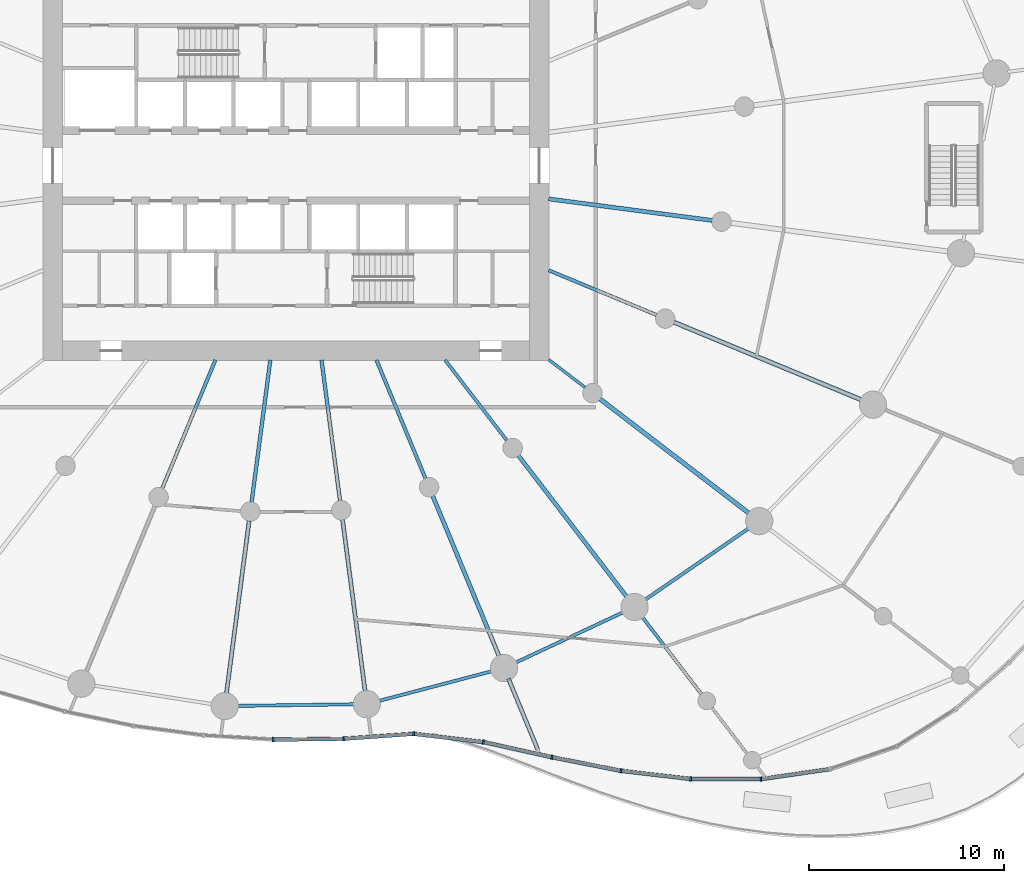
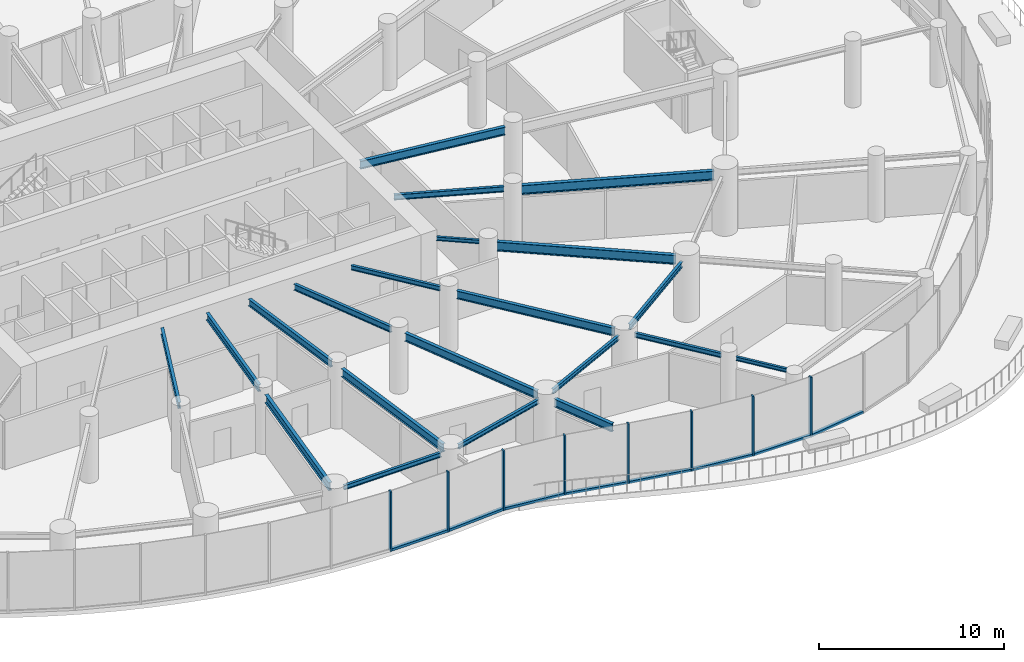
# One storey, part 3 of 21: 21 beams, 16 members, 2 elements without a shape of their own.
"""IFC4 building model written with IfcOpenShell, lengths in metres."""

from ifc_helpers import new_model, si_unit, direction, frame, origin, origin_2d, place, context, subcontext, project, spatial, rectangle, i_section, extrude, source, transform, mapped, material, layer, layer_set, material_profile, profile_set, type_object, element, aggregate, save


model = new_model("IFC4")

# Units and contexts
model_context = context("Model", 3, precision=1e-05, world=origin(), true_north=direction((0.0, 1.0)))
body_context = subcontext(model_context, "Body", "Model", "MODEL_VIEW")
ifc_project = project(units=[si_unit("LENGTHUNIT", "METRE"), si_unit("AREAUNIT", "SQUARE_METRE"), si_unit("VOLUMEUNIT", "CUBIC_METRE"), si_unit("PLANEANGLEUNIT", "RADIAN"), si_unit("MASSUNIT", "GRAM", prefix="KILO")], contexts=[model_context])

# Site, building, storey
site_placement = place(None, origin())
site = spatial("IfcSite", under=ifc_project, at=site_placement, CompositionType="ELEMENT")
building_placement = place(site_placement, origin())
building = spatial("IfcBuilding", under=site, at=building_placement, Name="Spindrift Exchange Tower", CompositionType="ELEMENT")
storey_placement = place(building_placement, frame((0.0, 0.0, 9.39990234375)))
storey = spatial("IfcBuildingStorey", under=building, at=storey_placement, Name="L02", CompositionType="ELEMENT", Elevation=9.39990234375)

# Beams
ifc_material_1 = material(Name="Steel Grade 300", Category="steel")
ifc_material_profile_1 = material_profile(ifc_material_1, i_section(OverallWidth=0.177978515625, OverallDepth=0.406005859375, WebThickness=0.0078125, FlangeThickness=0.0126953125, FilletRadius=0.013916015625, at=origin_2d()), Name="410UB59.7")
ifc_profile_set_1 = profile_set([ifc_material_profile_1], Name="Steel Grade 300")
beam_type_1 = type_object("IfcBeamType", Name="Floor Beam 410UB59.7 Steel Grade 300", PredefinedType="BEAM", material=ifc_profile_set_1)
shared_shape_1 = source(origin(), body_context, "Body", "SweptSolid", [
    extrude(i_section(OverallWidth=0.177978515625, OverallDepth=0.406005859375, WebThickness=0.0078125, FlangeThickness=0.0126953125, FilletRadius=0.013916015625, at=origin_2d()), origin(), (0.0, 0.0, 1.0), 7.150634765625),
])
beam_1_placement = place(storey_placement, frame((47.865478515625, 38.0185546875, 3.7470703125), z_axis=(-0.382665393358, -0.923887004306, 0.0), x_axis=(0.923887004306, -0.382665393358, 0.0)))
element("IfcBeam", 1, at=beam_1_placement, inside=storey, type_object=beam_type_1, Name="L02 radial beam R17A", PredefinedType="BEAM", context=body_context, shape_type="MappedRepresentation", body=[
    mapped(shared_shape_1, transform((0.0, 0.0, 0.0), scale=1.0)),
])
ifc_material_profile_2 = material_profile(ifc_material_1, i_section(OverallWidth=0.18994140625, OverallDepth=0.45703125, WebThickness=0.009033203125, FlangeThickness=0.014404296875, FilletRadius=0.013916015625, at=origin_2d()), Name="460UB74.6")
ifc_profile_set_2 = profile_set([ifc_material_profile_2], Name="Steel Grade 300")
beam_type_2 = type_object("IfcBeamType", Name="Floor Beam 460UB74.6 Steel Grade 300", PredefinedType="BEAM", material=ifc_profile_set_2)
shared_shape_2 = source(origin(), body_context, "Body", "SweptSolid", [
    extrude(i_section(OverallWidth=0.18994140625, OverallDepth=0.45703125, WebThickness=0.009033203125, FlangeThickness=0.014404296875, FilletRadius=0.013916015625, at=origin_2d()), origin(), (0.0, 0.0, 1.0), 7.374267578125),
])
beam_2_placement = place(storey_placement, frame((50.68603515625, 38.019775390625, 3.7216796875), z_axis=(-0.130539295622, -0.99144313619, 0.0), x_axis=(0.99144313619, -0.130539295622, 0.0)))
element("IfcBeam", 2, at=beam_2_placement, inside=storey, type_object=beam_type_2, Name="L02 radial beam R18A", PredefinedType="BEAM", context=body_context, shape_type="MappedRepresentation", body=[
    mapped(shared_shape_2, transform((0.0, 0.0, 0.0), scale=1.0)),
])
ifc_material_profile_3 = material_profile(ifc_material_1, i_section(OverallWidth=0.208984375, OverallDepth=0.532958984375, WebThickness=0.01025390625, FlangeThickness=0.015625, FilletRadius=0.013916015625, at=origin_2d()), Name="530UB92.4")
ifc_profile_set_3 = profile_set([ifc_material_profile_3], Name="Steel Grade 300")
beam_type_3 = type_object("IfcBeamType", Name="Floor Beam 530UB92.4 Steel Grade 300", PredefinedType="BEAM", material=ifc_profile_set_3)
shared_shape_3 = source(origin(), body_context, "Body", "SweptSolid", [
    extrude(i_section(OverallWidth=0.208984375, OverallDepth=0.532958984375, WebThickness=0.01025390625, FlangeThickness=0.015625, FilletRadius=0.013916015625, at=origin_2d()), origin(), (0.0, 0.0, 1.0), 9.020263671875),
])
beam_3_placement = place(storey_placement, frame((49.59814453125, 29.7568359375, 3.68359375), z_axis=(-0.13051122338, -0.991446831944, 0.0), x_axis=(0.991446831944, -0.13051122338, 0.0)))
element("IfcBeam", 3, at=beam_3_placement, inside=storey, type_object=beam_type_3, Name="L02 radial beam R18B", PredefinedType="BEAM", context=body_context, shape_type="MappedRepresentation", body=[
    mapped(shared_shape_3, transform((0.0, 0.0, 0.0), scale=1.0)),
])
shared_shape_4 = source(origin(), body_context, "Body", "SweptSolid", [
    extrude(i_section(OverallWidth=0.18994140625, OverallDepth=0.45703125, WebThickness=0.009033203125, FlangeThickness=0.014404296875, FilletRadius=0.013916015625, at=origin_2d()), origin(), (0.0, 0.0, 1.0), 7.3095703125),
])
beam_4_placement = place(storey_placement, frame((53.31396484375, 38.019775390625, 3.7216796875), z_axis=(0.130527087244, -0.991444743541, 0.0), x_axis=(0.991444743541, 0.130527087244, 0.0)))
element("IfcBeam", 4, at=beam_4_placement, inside=storey, type_object=beam_type_2, Name="L02 radial beam R19A", PredefinedType="BEAM", context=body_context, shape_type="MappedRepresentation", body=[
    mapped(shared_shape_4, transform((0.0, 0.0, 0.0), scale=1.0)),
])
shared_shape_5 = source(origin(), body_context, "Body", "SweptSolid", [
    extrude(i_section(OverallWidth=0.208984375, OverallDepth=0.532958984375, WebThickness=0.01025390625, FlangeThickness=0.015625, FilletRadius=0.013916015625, at=origin_2d()), origin(), (0.0, 0.0, 1.0), 8.98388671875),
])
beam_5_placement = place(storey_placement, frame((54.393310546875, 29.82080078125, 3.68359375), z_axis=(0.130524106785, -0.991445135924, 0.0), x_axis=(0.991445135924, 0.130524106785, 0.0)))
element("IfcBeam", 5, at=beam_5_placement, inside=storey, type_object=beam_type_3, Name="L02 radial beam R19B", PredefinedType="BEAM", context=body_context, shape_type="MappedRepresentation", body=[
    mapped(shared_shape_5, transform((0.0, 0.0, 0.0), scale=1.0)),
])
shared_shape_6 = source(origin(), body_context, "Body", "SweptSolid", [
    extrude(i_section(OverallWidth=0.177978515625, OverallDepth=0.406005859375, WebThickness=0.0078125, FlangeThickness=0.0126953125, FilletRadius=0.013916015625, at=origin_2d()), origin(), (0.0, 0.0, 1.0), 6.594482421875),
])
beam_6_placement = place(storey_placement, frame((56.134521484375, 38.0185546875, 3.7470703125), z_axis=(0.382692929746, -0.92387559851, 0.0), x_axis=(0.92387559851, 0.382692929746, 0.0)))
element("IfcBeam", 6, at=beam_6_placement, inside=storey, type_object=beam_type_1, Name="L02 radial beam R20A", PredefinedType="BEAM", context=body_context, shape_type="MappedRepresentation", body=[
    mapped(shared_shape_6, transform((0.0, 0.0, 0.0), scale=1.0)),
])
shared_shape_7 = source(origin(), body_context, "Body", "SweptSolid", [
    extrude(i_section(OverallWidth=0.208984375, OverallDepth=0.532958984375, WebThickness=0.01025390625, FlangeThickness=0.015625, FilletRadius=0.013916015625, at=origin_2d()), origin(), (0.0, 0.0, 1.0), 8.99658203125),
])
beam_7_placement = place(storey_placement, frame((59.025390625, 31.0390625, 3.68359375), z_axis=(0.382685731718, -0.923878580085, 0.0), x_axis=(0.923878580085, 0.382685731718, 0.0)))
element("IfcBeam", 7, at=beam_7_placement, inside=storey, type_object=beam_type_3, Name="L02 radial beam R20B", PredefinedType="BEAM", context=body_context, shape_type="MappedRepresentation", body=[
    mapped(shared_shape_7, transform((0.0, 0.0, 0.0), scale=1.0)),
])
ifc_material_profile_4 = material_profile(ifc_material_1, i_section(OverallWidth=0.1650390625, OverallDepth=0.303955078125, WebThickness=0.006103515625, FlangeThickness=0.01025390625, FilletRadius=0.011474609375, at=origin_2d()), Name="310UB40.4")
ifc_profile_set_4 = profile_set([ifc_material_profile_4], Name="Steel Grade 300")
beam_type_4 = type_object("IfcBeamType", Name="Floor Beam 310UB40.4 Steel Grade 300", PredefinedType="BEAM", material=ifc_profile_set_4)
shared_shape_8 = source(origin(), body_context, "Body", "SweptSolid", [
    extrude(i_section(OverallWidth=0.1650390625, OverallDepth=0.303955078125, WebThickness=0.006103515625, FlangeThickness=0.01025390625, FilletRadius=0.011474609375, at=origin_2d()), origin(), (0.0, 0.0, 1.0), 5.224609375),
])
beam_8_placement = place(storey_placement, frame((59.6611328125, 38.015869140625, 3.798095703125), z_axis=(0.608741499316, -0.793368632485, 0.0), x_axis=(0.793368632485, 0.608741499316, 0.0)))
element("IfcBeam", 8, at=beam_8_placement, inside=storey, type_object=beam_type_4, Name="L02 radial beam R21A", PredefinedType="BEAM", context=body_context, shape_type="MappedRepresentation", body=[
    mapped(shared_shape_8, transform((0.0, 0.0, 0.0), scale=1.0)),
])
shared_shape_9 = source(origin(), body_context, "Body", "SweptSolid", [
    extrude(i_section(OverallWidth=0.208984375, OverallDepth=0.532958984375, WebThickness=0.01025390625, FlangeThickness=0.015625, FilletRadius=0.013916015625, at=origin_2d()), origin(), (0.0, 0.0, 1.0), 9.227783203125),
])
beam_9_placement = place(storey_placement, frame((63.426025390625, 33.109375, 3.68359375), z_axis=(0.608747534474, -0.79336400175, 0.0), x_axis=(0.79336400175, 0.608747534474, 0.0)))
element("IfcBeam", 9, at=beam_9_placement, inside=storey, type_object=beam_type_3, Name="L02 radial beam R21B", PredefinedType="BEAM", context=body_context, shape_type="MappedRepresentation", body=[
    mapped(shared_shape_9, transform((0.0, 0.0, 0.0), scale=1.0)),
])
ifc_material_profile_5 = material_profile(ifc_material_1, i_section(OverallWidth=0.14599609375, OverallDepth=0.251953125, WebThickness=0.006103515625, FlangeThickness=0.008544921875, FilletRadius=0.011962890625, at=origin_2d()), Name="250UB31.4")
ifc_profile_set_5 = profile_set([ifc_material_profile_5], Name="Steel Grade 300")
beam_type_5 = type_object("IfcBeamType", Name="Floor Beam 250UB31.4 Steel Grade 300", PredefinedType="BEAM", material=ifc_profile_set_5)
shared_shape_10 = source(origin(), body_context, "Body", "SweptSolid", [
    extrude(i_section(OverallWidth=0.14599609375, OverallDepth=0.251953125, WebThickness=0.006103515625, FlangeThickness=0.008544921875, FilletRadius=0.011962890625, at=origin_2d()), origin(), (0.0, 0.0, 1.0), 2.353759765625),
])
beam_10_placement = place(storey_placement, frame((64.984130859375, 38.036865234375, 3.82421875), z_axis=(0.793367573265, -0.608742879787, 0.0), x_axis=(0.608742879787, 0.793367573265, 0.0)))
element("IfcBeam", 10, at=beam_10_placement, inside=storey, type_object=beam_type_5, Name="L02 radial beam R22A", PredefinedType="BEAM", context=body_context, shape_type="MappedRepresentation", body=[
    mapped(shared_shape_10, transform((0.0, 0.0, 0.0), scale=1.0)),
])
ifc_material_profile_6 = material_profile(ifc_material_1, i_section(OverallWidth=0.22802734375, OverallDepth=0.60693359375, WebThickness=0.01123046875, FlangeThickness=0.017333984375, FilletRadius=0.013916015625, at=origin_2d()), Name="610UB113")
ifc_profile_set_6 = profile_set([ifc_material_profile_6], Name="Steel Grade 300")
beam_type_6 = type_object("IfcBeamType", Name="Floor Beam 610UB113 Steel Grade 300", PredefinedType="BEAM", material=ifc_profile_set_6)
shared_shape_11 = source(origin(), body_context, "Body", "SweptSolid", [
    extrude(i_section(OverallWidth=0.22802734375, OverallDepth=0.60693359375, WebThickness=0.01123046875, FlangeThickness=0.017333984375, FilletRadius=0.013916015625, at=origin_2d()), origin(), (0.0, 0.0, 1.0), 9.73974609375),
])
beam_11_placement = place(storey_placement, frame((67.61328125, 36.01953125, 3.646484375), z_axis=(0.793352119621, -0.608763019814, 0.0), x_axis=(0.608763019814, 0.793352119621, 0.0)))
element("IfcBeam", 11, at=beam_11_placement, inside=storey, type_object=beam_type_6, Name="L02 radial beam R22B", PredefinedType="BEAM", context=body_context, shape_type="MappedRepresentation", body=[
    mapped(shared_shape_11, transform((0.0, 0.0, 0.0), scale=1.0)),
])
ifc_material_profile_7 = material_profile(ifc_material_1, i_section(OverallWidth=0.172119140625, OverallDepth=0.35888671875, WebThickness=0.008056640625, FlangeThickness=0.012939453125, FilletRadius=0.013916015625, at=origin_2d()), Name="360UB56.7")
ifc_profile_set_7 = profile_set([ifc_material_profile_7], Name="Steel Grade 300")
beam_type_7 = type_object("IfcBeamType", Name="Floor Beam 360UB56.7 Steel Grade 300", PredefinedType="BEAM", material=ifc_profile_set_7)
shared_shape_12 = source(origin(), body_context, "Body", "SweptSolid", [
    extrude(i_section(OverallWidth=0.172119140625, OverallDepth=0.35888671875, WebThickness=0.008056640625, FlangeThickness=0.012939453125, FilletRadius=0.013916015625, at=origin_2d()), origin(), (0.0, 0.0, 1.0), 6.004638671875),
])
beam_12_placement = place(storey_placement, frame((64.9814453125, 42.622802734375, 3.7705078125), z_axis=(0.923882044911, -0.38267736684, 0.0), x_axis=(0.38267736684, 0.923882044911, 0.0)))
element("IfcBeam", 12, at=beam_12_placement, inside=storey, type_object=beam_type_7, Name="L02 radial beam R23A", PredefinedType="BEAM", context=body_context, shape_type="MappedRepresentation", body=[
    mapped(shared_shape_12, transform((0.0, 0.0, 0.0), scale=1.0)),
])
shared_shape_13 = source(origin(), body_context, "Body", "SweptSolid", [
    extrude(i_section(OverallWidth=0.22802734375, OverallDepth=0.60693359375, WebThickness=0.01123046875, FlangeThickness=0.017333984375, FilletRadius=0.013916015625, at=origin_2d()), origin(), (0.0, 0.0, 1.0), 10.4912109375),
])
beam_13_placement = place(storey_placement, frame((71.416015625, 39.95751953125, 3.646484375), z_axis=(0.923885231151, -0.382669674342, 0.0), x_axis=(0.382669674342, 0.923885231151, 0.0)))
element("IfcBeam", 13, at=beam_13_placement, inside=storey, type_object=beam_type_6, Name="L02 radial beam R23B", PredefinedType="BEAM", context=body_context, shape_type="MappedRepresentation", body=[
    mapped(shared_shape_13, transform((0.0, 0.0, 0.0), scale=1.0)),
])
shared_shape_14 = source(origin(), body_context, "Body", "SweptSolid", [
    extrude(i_section(OverallWidth=0.208984375, OverallDepth=0.532958984375, WebThickness=0.01025390625, FlangeThickness=0.015625, FilletRadius=0.013916015625, at=origin_2d()), origin(), (0.0, 0.0, 1.0), 8.4794921875),
])
beam_14_placement = place(storey_placement, frame((64.980224609375, 46.291015625, 3.68359375), z_axis=(0.991446551951, -0.13051335037, 0.0), x_axis=(0.13051335037, 0.991446551951, 0.0)))
element("IfcBeam", 14, at=beam_14_placement, inside=storey, type_object=beam_type_3, Name="L02 radial beam R24A", PredefinedType="BEAM", context=body_context, shape_type="MappedRepresentation", body=[
    mapped(shared_shape_14, transform((0.0, 0.0, 0.0), scale=1.0)),
])
shared_shape_15 = source(origin(), body_context, "Body", "SweptSolid", [
    extrude(i_section(OverallWidth=0.1650390625, OverallDepth=0.303955078125, WebThickness=0.006103515625, FlangeThickness=0.01025390625, FilletRadius=0.011474609375, at=origin_2d()), origin(), (0.0, 0.0, 1.0), 5.072509765625),
])
beam_15_placement = place(storey_placement, frame((69.749755859375, 24.8681640625, 3.798095703125), z_axis=(0.608742705523, -0.793367706976, 0.0), x_axis=(0.793367706976, 0.608742705523, 0.0)))
element("IfcBeam", 15, at=beam_15_placement, inside=storey, type_object=beam_type_4, Name="L02 radial beam R21C1", PredefinedType="BEAM", context=body_context, shape_type="MappedRepresentation", body=[
    mapped(shared_shape_15, transform((0.0, 0.0, 0.0), scale=1.0)),
])
shared_shape_16 = source(origin(), body_context, "Body", "SweptSolid", [
    extrude(i_section(OverallWidth=0.14599609375, OverallDepth=0.251953125, WebThickness=0.006103515625, FlangeThickness=0.008544921875, FilletRadius=0.011962890625, at=origin_2d()), origin(), (0.0, 0.0, 1.0), 2.978759765625),
])
beam_16_placement = place(storey_placement, frame((73.361328125, 20.16162109375, 3.82421875), z_axis=(0.608724015184, -0.793382047527, 0.0), x_axis=(0.793382047527, 0.608724015184, 0.0)))
element("IfcBeam", 16, at=beam_16_placement, inside=storey, type_object=beam_type_5, Name="L02 radial beam R21C2", PredefinedType="BEAM", context=body_context, shape_type="MappedRepresentation", body=[
    mapped(shared_shape_16, transform((0.0, 0.0, 0.0), scale=1.0)),
])
ifc_material_profile_8 = material_profile(ifc_material_1, i_section(OverallWidth=0.1650390625, OverallDepth=0.303955078125, WebThickness=0.006103515625, FlangeThickness=0.01025390625, FilletRadius=0.011474609375, at=origin_2d()), Name="310UB40.4")
ifc_profile_set_8 = profile_set([ifc_material_profile_8], Name="Steel Grade 300")
beam_type_8 = type_object("IfcBeamType", Name="Edge Beam 310UB40.4 Steel Grade 300", PredefinedType="SPANDREL", material=ifc_profile_set_8)
shared_shape_17 = source(origin(), body_context, "Body", "SweptSolid", [
    extrude(i_section(OverallWidth=0.1650390625, OverallDepth=0.303955078125, WebThickness=0.006103515625, FlangeThickness=0.01025390625, FilletRadius=0.011474609375, at=origin_2d()), origin(), (0.0, 0.0, 1.0), 6.13720703125),
])
beam_17_placement = place(storey_placement, frame((48.925048828125, 20.24658203125, 3.798095703125), z_axis=(0.999905820907, 0.013724041543, 0.0), x_axis=(-0.013724041543, 0.999905820907, 0.0)))
element("IfcBeam", 17, at=beam_17_placement, inside=storey, type_object=beam_type_8, Name="L02 edge beam E18", PredefinedType="SPANDREL", context=body_context, shape_type="MappedRepresentation", body=[
    mapped(shared_shape_17, transform((0.0, 0.0, 0.0), scale=1.0)),
])
shared_shape_18 = source(origin(), body_context, "Body", "SweptSolid", [
    extrude(i_section(OverallWidth=0.1650390625, OverallDepth=0.303955078125, WebThickness=0.006103515625, FlangeThickness=0.01025390625, FilletRadius=0.011474609375, at=origin_2d()), origin(), (0.0, 0.0, 1.0), 6.128173828125),
])
beam_18_placement = place(storey_placement, frame((56.20263671875, 20.486083984375, 3.798095703125), z_axis=(0.967147261855, 0.254216785216, 0.0), x_axis=(-0.254216785216, 0.967147261855, 0.0)))
element("IfcBeam", 18, at=beam_18_placement, inside=storey, type_object=beam_type_8, Name="L02 edge beam E19", PredefinedType="SPANDREL", context=body_context, shape_type="MappedRepresentation", body=[
    mapped(shared_shape_18, transform((0.0, 0.0, 0.0), scale=1.0)),
])
shared_shape_19 = source(origin(), body_context, "Body", "SweptSolid", [
    extrude(i_section(OverallWidth=0.1650390625, OverallDepth=0.303955078125, WebThickness=0.006103515625, FlangeThickness=0.01025390625, FilletRadius=0.011474609375, at=origin_2d()), origin(), (0.0, 0.0, 1.0), 6.243408203125),
])
beam_19_placement = place(storey_placement, frame((63.2158203125, 22.43701171875, 3.798095703125), z_axis=(0.905791146607, 0.423724437257, 0.0), x_axis=(-0.423724437257, 0.905791146607, 0.0)))
element("IfcBeam", 19, at=beam_19_placement, inside=storey, type_object=beam_type_8, Name="L02 edge beam E20", PredefinedType="SPANDREL", context=body_context, shape_type="MappedRepresentation", body=[
    mapped(shared_shape_19, transform((0.0, 0.0, 0.0), scale=1.0)),
])
ifc_material_profile_9 = material_profile(ifc_material_1, i_section(OverallWidth=0.172119140625, OverallDepth=0.35888671875, WebThickness=0.008056640625, FlangeThickness=0.012939453125, FilletRadius=0.013916015625, at=origin_2d()), Name="360UB56.7")
ifc_profile_set_9 = profile_set([ifc_material_profile_9], Name="Steel Grade 300")
beam_type_9 = type_object("IfcBeamType", Name="Edge Beam 360UB56.7 Steel Grade 300", PredefinedType="SPANDREL", material=ifc_profile_set_9)
shared_shape_20 = source(origin(), body_context, "Body", "SweptSolid", [
    extrude(i_section(OverallWidth=0.172119140625, OverallDepth=0.35888671875, WebThickness=0.008056640625, FlangeThickness=0.012939453125, FilletRadius=0.013916015625, at=origin_2d()), origin(), (0.0, 0.0, 1.0), 6.614990234375),
])
beam_20_placement = place(storey_placement, frame((69.874267578125, 25.6572265625, 3.7705078125), z_axis=(0.823690708835, 0.567039342708, 0.0), x_axis=(-0.567039342708, 0.823690708835, 0.0)))
element("IfcBeam", 20, at=beam_20_placement, inside=storey, type_object=beam_type_9, Name="L02 edge beam E21", PredefinedType="SPANDREL", context=body_context, shape_type="MappedRepresentation", body=[
    mapped(shared_shape_20, transform((0.0, 0.0, 0.0), scale=1.0)),
])
ifc_material_profile_10 = material_profile(ifc_material_1, i_section(OverallWidth=0.208984375, OverallDepth=0.532958984375, WebThickness=0.01025390625, FlangeThickness=0.015625, FilletRadius=0.013916015625, at=origin_2d()), Name="530UB92.4")
ifc_profile_set_10 = profile_set([ifc_material_profile_10], Name="Steel Grade 300")
beam_type_10 = type_object("IfcBeamType", Name="Cantilever Beam 530UB92.4 Steel Grade 300", PredefinedType="BEAM", material=ifc_profile_set_10)
shared_shape_21 = source(origin(), body_context, "Body", "SweptSolid", [
    extrude(i_section(OverallWidth=0.208984375, OverallDepth=0.532958984375, WebThickness=0.01025390625, FlangeThickness=0.015625, FilletRadius=0.013916015625, at=origin_2d()), origin(), (0.0, 0.0, 1.0), 3.9501953125),
])
beam_21_placement = place(storey_placement, frame((62.912109375, 21.655517578125, 3.68359375), z_axis=(0.382701140379, -0.923872197413, 0.0), x_axis=(0.923872197413, 0.382701140379, 0.0)))
element("IfcBeam", 21, at=beam_21_placement, inside=storey, type_object=beam_type_10, Name="L02 cantilever beam R20T", PredefinedType="BEAM", context=body_context, shape_type="MappedRepresentation", body=[
    mapped(shared_shape_21, transform((0.0, 0.0, 0.0), scale=1.0)),
])

# Curtain wall, members
ifc_material_2 = material(Name="Fritted laminated glass with bronze frame", Category="glass")
ifc_layer = layer(ifc_material_2, 0.219970703125)
ifc_layer_set = layer_set([ifc_layer], Name="PODIUM BRONZE GLAZED WALL")
curtain_wall_type = type_object("IfcCurtainWallType", Name="PODIUM BRONZE GLAZED WALL", PredefinedType="NOTDEFINED", material=ifc_layer_set)
curtain_wall_1_placement = place(storey_placement, origin())
curtain_wall_1 = element("IfcCurtainWall", 22, at=curtain_wall_1_placement, inside=storey, type_object=curtain_wall_type, Name="L02 Podium Bronze Glazed Wall run 9", PredefinedType="NOTDEFINED")
ifc_material_3 = material(Name="Bronze anodised aluminium", Category="aluminium")
ifc_material_profile_11 = material_profile(ifc_material_3, rectangle(XDim=0.090087890625, YDim=0.219970703125, at=origin_2d()), Name="PODIUM BRONZE GLAZED WALL MULLION 90X220")
ifc_profile_set_11 = profile_set([ifc_material_profile_11], Name="Bronze anodised aluminium")
member_type_1 = type_object("IfcMemberType", Name="PODIUM BRONZE GLAZED WALL MULLION 90X220", PredefinedType="MULLION", material=ifc_profile_set_11)
shared_shape_22 = source(origin(), body_context, "Body", "SweptSolid", [
    extrude(rectangle(XDim=0.090087890625, YDim=0.219970703125, at=origin_2d()), origin(), (0.0, 0.0, 1.0), 3.9501953125),
])
member_1_placement = place(storey_placement, frame((50.8388671875, 18.513916015625, 0.0), z_axis=(0.0, 0.0, 1.0), x_axis=(0.99972757023, -0.023340636714, 0.0)))
member_1 = element("IfcMember", 23, at=member_1_placement, type_object=member_type_1, Name="L02 mullion CW-P.49", PredefinedType="MULLION", context=body_context, shape_type="MappedRepresentation", body=[
    mapped(shared_shape_22, transform((0.0, 0.0, 0.0), scale=1.0)),
])
member_2_placement = place(storey_placement, frame((54.4482421875, 18.560791015625, 0.0), z_axis=(0.0, 0.0, 1.0), x_axis=(0.999141834944, 0.041419725542, 0.0)))
member_2 = element("IfcMember", 24, at=member_2_placement, type_object=member_type_1, Name="L02 mullion CW-P.50", PredefinedType="MULLION", context=body_context, shape_type="MappedRepresentation", body=[
    mapped(shared_shape_22, transform((0.0, 0.0, 0.0), scale=1.0)),
])
member_3_placement = place(storey_placement, frame((58.049072265625, 18.81298828125, 0.0), z_axis=(0.0, 0.0, 1.0), x_axis=(0.99971480894, -0.023880971202, 0.0)))
member_3 = element("IfcMember", 25, at=member_3_placement, type_object=member_type_1, Name="L02 mullion CW-P.51", PredefinedType="MULLION", context=body_context, shape_type="MappedRepresentation", body=[
    mapped(shared_shape_22, transform((0.0, 0.0, 0.0), scale=1.0)),
])
member_4_placement = place(storey_placement, frame((61.62841796875, 18.3896484375, 0.0), z_axis=(0.0, 0.0, 1.0), x_axis=(0.98597730279, -0.166879472623, 0.0)))
member_4 = element("IfcMember", 26, at=member_4_placement, type_object=member_type_1, Name="L02 mullion CW-P.52", PredefinedType="MULLION", context=body_context, shape_type="MappedRepresentation", body=[
    mapped(shared_shape_22, transform((0.0, 0.0, 0.0), scale=1.0)),
])
member_5_placement = place(storey_placement, frame((65.15380859375, 17.610107421875, 0.0), z_axis=(0.0, 0.0, 1.0), x_axis=(0.978832500454, -0.204662981645, 0.0)))
member_5 = element("IfcMember", 27, at=member_5_placement, type_object=member_type_1, Name="L02 mullion CW-P.53", PredefinedType="MULLION", context=body_context, shape_type="MappedRepresentation", body=[
    mapped(shared_shape_22, transform((0.0, 0.0, 0.0), scale=1.0)),
])
member_6_placement = place(storey_placement, frame((68.695556640625, 16.912109375, 0.0), z_axis=(0.0, 0.0, 1.0), x_axis=(0.987946014774, -0.154798811014, 0.0)))
member_6 = element("IfcMember", 28, at=member_6_placement, type_object=member_type_1, Name="L02 mullion CW-P.54", PredefinedType="MULLION", context=body_context, shape_type="MappedRepresentation", body=[
    mapped(shared_shape_22, transform((0.0, 0.0, 0.0), scale=1.0)),
])

curtain_wall_2_placement = place(storey_placement, origin())
curtain_wall_2 = element("IfcCurtainWall", 29, at=curtain_wall_2_placement, inside=storey, type_object=curtain_wall_type, Name="L02 Podium Bronze Glazed Wall run 10", PredefinedType="NOTDEFINED")
member_7_placement = place(storey_placement, frame((72.280517578125, 16.493408203125, 0.0), z_axis=(0.0, 0.0, 1.0), x_axis=(0.998234038251, -0.059403744632, 0.0)))
member_7 = element("IfcMember", 30, at=member_7_placement, type_object=member_type_1, Name="L02 mullion CW-P.55", PredefinedType="MULLION", context=body_context, shape_type="MappedRepresentation", body=[
    mapped(shared_shape_22, transform((0.0, 0.0, 0.0), scale=1.0)),
])
member_8_placement = place(storey_placement, frame((75.88818359375, 16.48388671875, 0.0), z_axis=(0.0, 0.0, 1.0), x_axis=(0.997483298836, 0.070901823275, 0.0)))
member_8 = element("IfcMember", 31, at=member_8_placement, type_object=member_type_1, Name="L02 mullion CW-P.56", PredefinedType="MULLION", context=body_context, shape_type="MappedRepresentation", body=[
    mapped(shared_shape_22, transform((0.0, 0.0, 0.0), scale=1.0)),
])

# Member
ifc_material_profile_12 = material_profile(ifc_material_3, rectangle(XDim=0.199951171875, YDim=0.159912109375, at=origin_2d()), Name="PODIUM BRONZE GLAZED WALL TRANSOM 200X160")
ifc_profile_set_12 = profile_set([ifc_material_profile_12], Name="Bronze anodised aluminium")
member_type_2 = type_object("IfcMemberType", Name="PODIUM BRONZE GLAZED WALL TRANSOM 200X160", PredefinedType="USERDEFINED", material=ifc_profile_set_12)
shared_shape_23 = source(origin(), body_context, "Body", "SweptSolid", [
    extrude(rectangle(XDim=0.199951171875, YDim=0.159912109375, at=origin_2d()), origin(), (0.0, 0.0, 1.0), 3.51904296875),
])
member_9_placement = place(storey_placement, frame((68.740234375, 16.90673828125, 0.080078125), z_axis=(0.993249690774, -0.115995912759, 0.0), x_axis=(0.115995912759, 0.993249690774, 0.0)))
member_9 = element("IfcMember", 32, at=member_9_placement, type_object=member_type_2, Name="L02 transom CW-P.54", ObjectType="TRANSOM", PredefinedType="USERDEFINED", context=body_context, shape_type="MappedRepresentation", body=[
    mapped(shared_shape_23, transform((0.0, 0.0, 0.0), scale=1.0)),
])

shared_shape_24 = source(origin(), body_context, "Body", "SweptSolid", [
    extrude(rectangle(XDim=0.199951171875, YDim=0.159912109375, at=origin_2d()), origin(), (0.0, 0.0, 1.0), 3.519775390625),
])
member_10_placement = place(storey_placement, frame((50.8837890625, 18.5146484375, 0.080078125), z_axis=(0.999916775321, 0.012901256951, 0.0), x_axis=(-0.012901256951, 0.999916775321, 0.0)))
member_10 = element("IfcMember", 33, at=member_10_placement, type_object=member_type_2, Name="L02 transom CW-P.49", ObjectType="TRANSOM", PredefinedType="USERDEFINED", context=body_context, shape_type="MappedRepresentation", body=[
    mapped(shared_shape_24, transform((0.0, 0.0, 0.0), scale=1.0)),
])

shared_shape_25 = source(origin(), body_context, "Body", "SweptSolid", [
    extrude(rectangle(XDim=0.199951171875, YDim=0.159912109375, at=origin_2d()), origin(), (0.0, 0.0, 1.0), 3.51611328125),
])
member_11_placement = place(storey_placement, frame((75.932861328125, 16.490478515625, 0.080078125), z_axis=(0.989576726579, 0.144006604752, 0.0), x_axis=(-0.144006604752, 0.989576726579, 0.0)))
member_11 = element("IfcMember", 34, at=member_11_placement, type_object=member_type_2, Name="L02 transom CW-P.56", ObjectType="TRANSOM", PredefinedType="USERDEFINED", context=body_context, shape_type="MappedRepresentation", body=[
    mapped(shared_shape_25, transform((0.0, 0.0, 0.0), scale=1.0)),
])

shared_shape_26 = source(origin(), body_context, "Body", "SweptSolid", [
    extrude(rectangle(XDim=0.199951171875, YDim=0.159912109375, at=origin_2d()), origin(), (0.0, 0.0, 1.0), 3.517822265625),
])
member_12_placement = place(storey_placement, frame((72.325439453125, 16.4931640625, 0.080078125), z_axis=(0.999996703116, -0.002567831079, 0.0), x_axis=(0.002567831079, 0.999996703116, 0.0)))
member_12 = element("IfcMember", 35, at=member_12_placement, type_object=member_type_2, Name="L02 transom CW-P.55", ObjectType="TRANSOM", PredefinedType="USERDEFINED", context=body_context, shape_type="MappedRepresentation", body=[
    mapped(shared_shape_26, transform((0.0, 0.0, 0.0), scale=1.0)),
])

aggregate(curtain_wall_2, [member_7, member_12, member_8, member_11])

shared_shape_27 = source(origin(), body_context, "Body", "SweptSolid", [
    extrude(rectangle(XDim=0.199951171875, YDim=0.159912109375, at=origin_2d()), origin(), (0.0, 0.0, 1.0), 3.52001953125),
])
member_13_placement = place(storey_placement, frame((65.19775390625, 17.601318359375, 0.080078125), z_axis=(0.981126348341, -0.193367754784, 0.0), x_axis=(0.193367754784, 0.981126348341, 0.0)))
member_13 = element("IfcMember", 36, at=member_13_placement, type_object=member_type_2, Name="L02 transom CW-P.53", ObjectType="TRANSOM", PredefinedType="USERDEFINED", context=body_context, shape_type="MappedRepresentation", body=[
    mapped(shared_shape_27, transform((0.0, 0.0, 0.0), scale=1.0)),
])

shared_shape_28 = source(origin(), body_context, "Body", "SweptSolid", [
    extrude(rectangle(XDim=0.199951171875, YDim=0.159912109375, at=origin_2d()), origin(), (0.0, 0.0, 1.0), 3.520751953125),
])
member_14_placement = place(storey_placement, frame((61.672119140625, 18.3798828125, 0.080078125), z_axis=(0.976423062685, -0.215865705144, 0.0), x_axis=(0.215865705144, 0.976423062685, 0.0)))
member_14 = element("IfcMember", 37, at=member_14_placement, type_object=member_type_2, Name="L02 transom CW-P.52", ObjectType="TRANSOM", PredefinedType="USERDEFINED", context=body_context, shape_type="MappedRepresentation", body=[
    mapped(shared_shape_28, transform((0.0, 0.0, 0.0), scale=1.0)),
])

shared_shape_29 = source(origin(), body_context, "Body", "SweptSolid", [
    extrude(rectangle(XDim=0.199951171875, YDim=0.159912109375, at=origin_2d()), origin(), (0.0, 0.0, 1.0), 3.51416015625),
])
member_15_placement = place(storey_placement, frame((58.09375, 18.8076171875, 0.080078125), z_axis=(0.99308309791, -0.117413630577, 0.0), x_axis=(0.117413630577, 0.99308309791, 0.0)))
member_15 = element("IfcMember", 38, at=member_15_placement, type_object=member_type_2, Name="L02 transom CW-P.51", ObjectType="TRANSOM", PredefinedType="USERDEFINED", context=body_context, shape_type="MappedRepresentation", body=[
    mapped(shared_shape_29, transform((0.0, 0.0, 0.0), scale=1.0)),
])

shared_shape_30 = source(origin(), body_context, "Body", "SweptSolid", [
    extrude(rectangle(XDim=0.199951171875, YDim=0.159912109375, at=origin_2d()), origin(), (0.0, 0.0, 1.0), 3.51953125),
])
member_16_placement = place(storey_placement, frame((54.4931640625, 18.56396484375, 0.080078125), z_axis=(0.997557372332, 0.069851906956, 0.0), x_axis=(-0.069851906956, 0.997557372332, 0.0)))
member_16 = element("IfcMember", 39, at=member_16_placement, type_object=member_type_2, Name="L02 transom CW-P.50", ObjectType="TRANSOM", PredefinedType="USERDEFINED", context=body_context, shape_type="MappedRepresentation", body=[
    mapped(shared_shape_30, transform((0.0, 0.0, 0.0), scale=1.0)),
])

aggregate(curtain_wall_1, [member_1, member_10, member_2, member_16, member_3, member_15, member_4, member_14, member_5, member_13, member_6, member_9])

save(model, "model.ifc")
